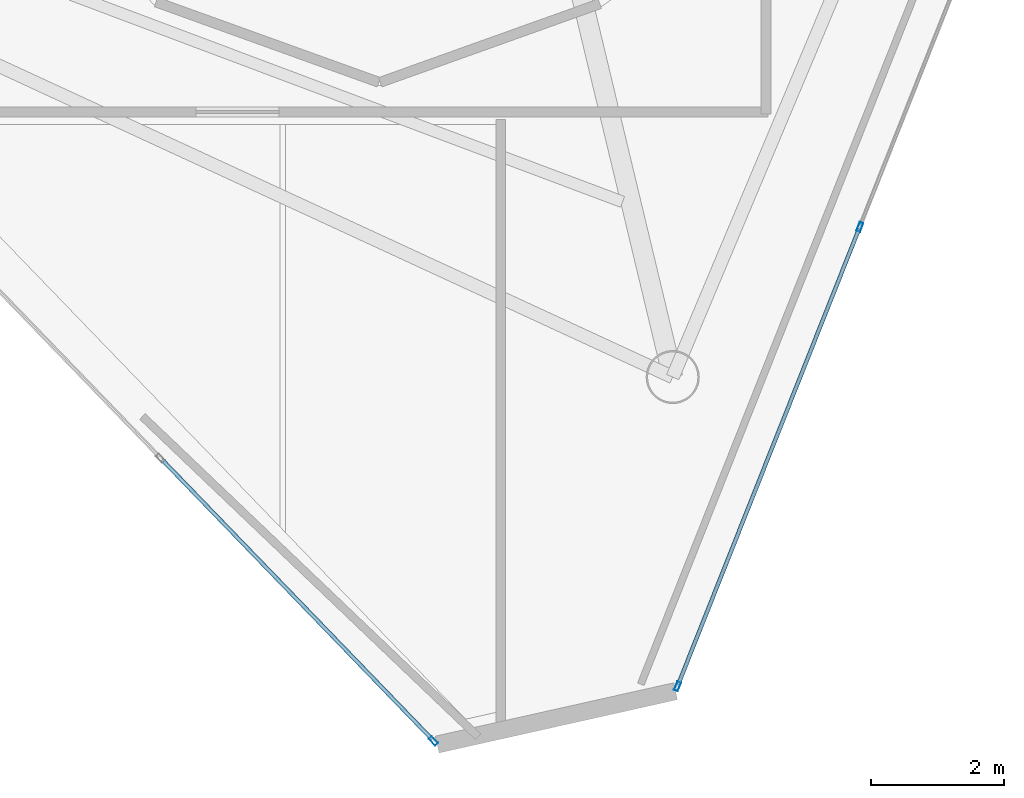
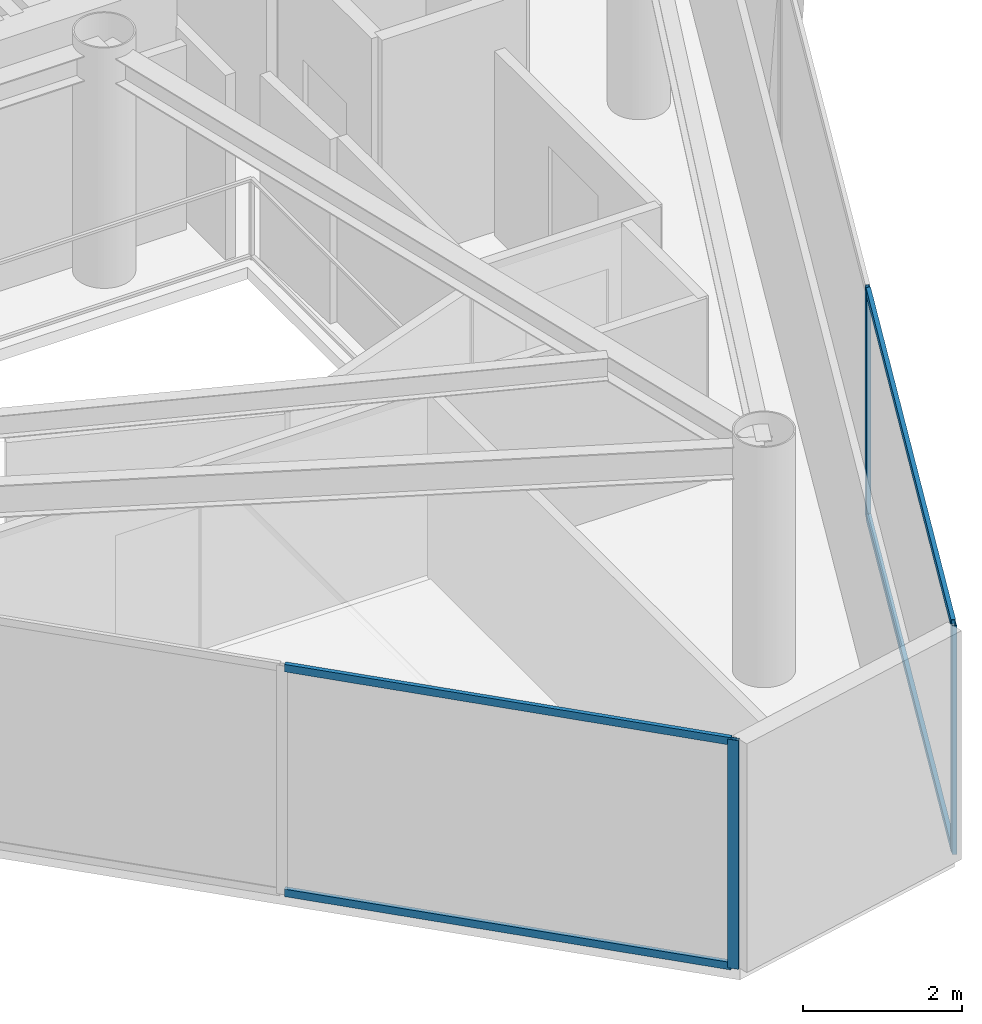
# One storey, part 4 of 18: 7 members, 2 elements without a shape of their own.
"""IFC4 building model written with IfcOpenShell, lengths in metres."""

from ifc_helpers import new_model, si_unit, direction, frame, origin, origin_2d, place, context, subcontext, project, spatial, hollow_rectangle, extrude, material, layer, layer_set, material_profile, profile_set, type_object, element, aggregate, save


model = new_model("IFC4")

# Units and contexts
model_context = context("Model", 3, precision=1e-05, world=origin(), true_north=direction((0.0, 1.0)))
body_context = subcontext(model_context, "Body", "Model", "MODEL_VIEW")
ifc_project = project(units=[si_unit("LENGTHUNIT", "METRE"), si_unit("AREAUNIT", "SQUARE_METRE"), si_unit("VOLUMEUNIT", "CUBIC_METRE"), si_unit("PLANEANGLEUNIT", "RADIAN"), si_unit("MASSUNIT", "GRAM", prefix="KILO")], contexts=[model_context])

# Site, building, storey
site_placement = place(None, origin())
site = spatial("IfcSite", under=ifc_project, at=site_placement, CompositionType="ELEMENT")
building_placement = place(site_placement, origin())
building = spatial("IfcBuilding", under=site, at=building_placement, Name="Qianvela Tower", CompositionType="ELEMENT")
storey_placement = place(building_placement, frame((0.0, 0.0, 337.0)))
storey = spatial("IfcBuildingStorey", under=building, at=storey_placement, Name="L87", CompositionType="ELEMENT", Elevation=337.0)

# Curtain wall, member
ifc_material_1 = material(Name="Anodised Architectural Aluminium and Low-E Glass", Category="aluminium")
ifc_layer = layer(ifc_material_1, 0.14990234375)
ifc_layer_set = layer_set([ifc_layer], Name="Anodised Architectural Aluminium and Low-E Glass")
curtain_wall_type = type_object("IfcCurtainWallType", Name="CW-COLIV-Z78", PredefinedType="USERDEFINED", material=ifc_layer_set)
curtain_wall_1_placement = place(storey_placement, origin())
curtain_wall_1 = element("IfcCurtainWall", 1, at=curtain_wall_1_placement, inside=storey, type_object=curtain_wall_type, Name="L87 CW-COLIV-Z78 Curtain Wall 04C", ObjectType="CURTAIN_WALL_SYSTEM", PredefinedType="USERDEFINED")
ifc_material_2 = material(Name="Anodised Architectural Aluminium 6063-T6", Category="aluminium")
ifc_material_profile_1 = material_profile(ifc_material_2, hollow_rectangle(XDim=0.06005859375, YDim=0.139892578125, WallThickness=0.00439453125, at=origin_2d()), Name="ALU-MULL-60x140")
ifc_profile_set_1 = profile_set([ifc_material_profile_1], Name="Anodised Architectural Aluminium 6063-T6")
member_type_1 = type_object("IfcMemberType", Name="CW-COLIV-Z78-MULL", PredefinedType="MULLION", material=ifc_profile_set_1)
member_1_placement = place(storey_placement, frame((37.61279296875, 6.608642578125, 0.0), z_axis=(0.0, 0.0, 1.0), x_axis=(0.719340616701, 0.69465752509, 0.0)))
member_1 = element("IfcMember", 2, at=member_1_placement, type_object=member_type_1, Name="CW-6 mullion 3", PredefinedType="MULLION", context=body_context, shape_type="SweptSolid", body=[
    extrude(hollow_rectangle(XDim=0.06005859375, YDim=0.139892578125, WallThickness=0.00439453125, at=origin_2d()), origin(), (0.0, 0.0, 1.0), 3.52001953125),
])

# Curtain wall, members
curtain_wall_2_placement = place(storey_placement, origin())
curtain_wall_2 = element("IfcCurtainWall", 3, at=curtain_wall_2_placement, inside=storey, type_object=curtain_wall_type, Name="L87 CW-COLIV-Z78 Curtain Wall 06A", ObjectType="CURTAIN_WALL_SYSTEM", PredefinedType="USERDEFINED")
member_2_placement = place(storey_placement, frame((41.289794921875, 7.42919921875, 0.0), z_axis=(0.0, 0.0, 1.0), x_axis=(-0.929472983006, 0.368890192146, 0.0)))
member_2 = element("IfcMember", 4, at=member_2_placement, type_object=member_type_1, Name="CW-6 mullion 1", PredefinedType="MULLION", context=body_context, shape_type="SweptSolid", body=[
    extrude(hollow_rectangle(XDim=0.06005859375, YDim=0.139892578125, WallThickness=0.00439453125, at=origin_2d()), origin(), (0.0, 0.0, 1.0), 3.52001953125),
])
member_3_placement = place(storey_placement, frame((44.0361328125, 14.34912109375, 0.0), z_axis=(0.0, 0.0, 1.0), x_axis=(-0.929472983006, 0.368890192146, 0.0)))
member_3 = element("IfcMember", 5, at=member_3_placement, type_object=member_type_1, Name="CW-6 mullion 2", PredefinedType="MULLION", context=body_context, shape_type="SweptSolid", body=[
    extrude(hollow_rectangle(XDim=0.06005859375, YDim=0.139892578125, WallThickness=0.00439453125, at=origin_2d()), origin(), (0.0, 0.0, 1.0), 3.52001953125),
])

# Member
ifc_material_3 = material(Name="Anodised Architectural Aluminium 6063-T6", Category="aluminium")
ifc_material_profile_2 = material_profile(ifc_material_3, hollow_rectangle(XDim=0.06005859375, YDim=0.114990234375, WallThickness=0.00390625, at=origin_2d()), Name="ALU-TRAN-60x115")
ifc_profile_set_2 = profile_set([ifc_material_profile_2], Name="Anodised Architectural Aluminium 6063-T6")
member_type_2 = type_object("IfcMemberType", Name="CW-COLIV-Z78-TRAN", PredefinedType="USERDEFINED", material=ifc_profile_set_2)
member_4_placement = place(storey_placement, frame((33.523193359375, 10.843505859375, 0.030029296875), z_axis=(0.69466145736, -0.71933681934, 0.0), x_axis=(0.71933681934, 0.69466145736, 0.0)))
member_4 = element("IfcMember", 6, at=member_4_placement, type_object=member_type_2, Name="CW-6 transom 2.1", ObjectType="TRANSOM", PredefinedType="USERDEFINED", context=body_context, shape_type="SweptSolid", body=[
    extrude(hollow_rectangle(XDim=0.06005859375, YDim=0.114990234375, WallThickness=0.00390625, at=origin_2d()), origin(), (0.0, 0.0, 1.0), 5.857421875),
])

member_5_placement = place(storey_placement, frame((33.523193359375, 10.843505859375, 3.489990234375), z_axis=(0.69466145736, -0.71933681934, 0.0), x_axis=(0.71933681934, 0.69466145736, 0.0)))
member_5 = element("IfcMember", 7, at=member_5_placement, type_object=member_type_2, Name="CW-6 transom 2.2", ObjectType="TRANSOM", PredefinedType="USERDEFINED", context=body_context, shape_type="SweptSolid", body=[
    extrude(hollow_rectangle(XDim=0.06005859375, YDim=0.114990234375, WallThickness=0.00390625, at=origin_2d()), origin(), (0.0, 0.0, 1.0), 5.857421875),
])

aggregate(curtain_wall_1, [member_1, member_4, member_5])

member_6_placement = place(storey_placement, frame((41.30078125, 7.45703125, 0.030029296875), z_axis=(0.368898561364, 0.929469661379, 0.0), x_axis=(-0.929469661379, 0.368898561364, 0.0)))
member_6 = element("IfcMember", 8, at=member_6_placement, type_object=member_type_2, Name="CW-6 transom 1.1", ObjectType="TRANSOM", PredefinedType="USERDEFINED", context=body_context, shape_type="SweptSolid", body=[
    extrude(hollow_rectangle(XDim=0.06005859375, YDim=0.114990234375, WallThickness=0.00390625, at=origin_2d()), origin(), (0.0, 0.0, 1.0), 7.38525390625),
])

member_7_placement = place(storey_placement, frame((41.30078125, 7.45703125, 3.489990234375), z_axis=(0.368898561364, 0.929469661379, 0.0), x_axis=(-0.929469661379, 0.368898561364, 0.0)))
member_7 = element("IfcMember", 9, at=member_7_placement, type_object=member_type_2, Name="CW-6 transom 1.2", ObjectType="TRANSOM", PredefinedType="USERDEFINED", context=body_context, shape_type="SweptSolid", body=[
    extrude(hollow_rectangle(XDim=0.06005859375, YDim=0.114990234375, WallThickness=0.00390625, at=origin_2d()), origin(), (0.0, 0.0, 1.0), 7.38525390625),
])

aggregate(curtain_wall_2, [member_2, member_3, member_6, member_7])

save(model, "model.ifc")
